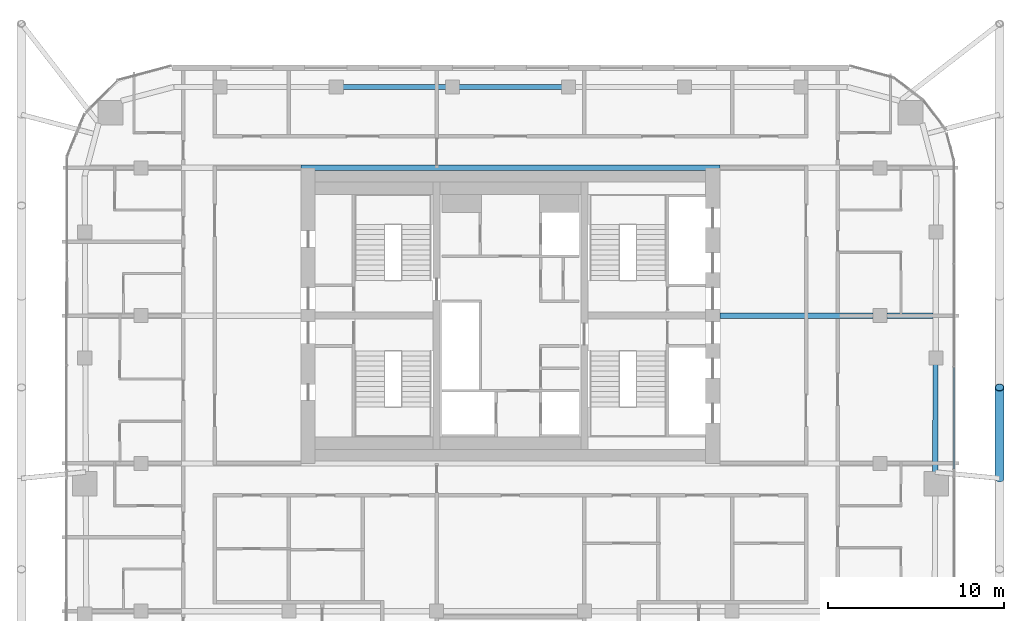
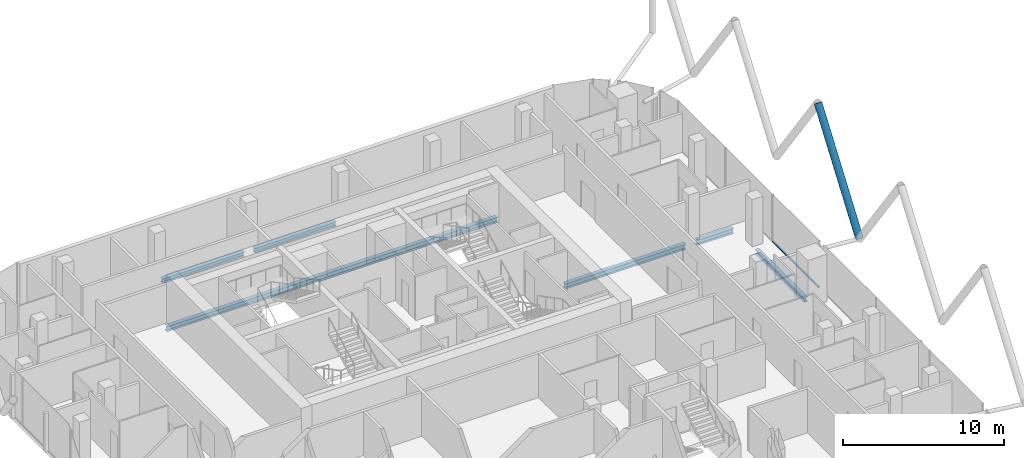
# One storey, part 9 of 31: 6 beams, 2 members, 1 element without a shape of its own.
"""IFC4 building model written with IfcOpenShell, lengths in metres."""

from ifc_helpers import new_model, si_unit, direction, frame, origin, origin_2d, place, context, subcontext, project, spatial, rectangle, hollow_circle, i_section, extrude, material, layer, layer_set, material_profile, profile_set, type_object, element, aggregate, save


model = new_model("IFC4")

# Units and contexts
model_context = context("Model", 3, precision=1e-05, world=origin(), true_north=direction((0.0, 1.0)))
body_context = subcontext(model_context, "Body", "Model", "MODEL_VIEW")
ifc_project = project(units=[si_unit("LENGTHUNIT", "METRE"), si_unit("AREAUNIT", "SQUARE_METRE"), si_unit("VOLUMEUNIT", "CUBIC_METRE"), si_unit("PLANEANGLEUNIT", "RADIAN"), si_unit("MASSUNIT", "GRAM", prefix="KILO")], contexts=[model_context])

# Site, building, storey
site_placement = place(None, origin())
site = spatial("IfcSite", under=ifc_project, at=site_placement, CompositionType="ELEMENT")
building_placement = place(site_placement, origin())
building = spatial("IfcBuilding", under=site, at=building_placement, Name="Marenta Gate Hotel Tower", CompositionType="ELEMENT")
storey_placement = place(building_placement, frame((0.0, 0.0, 220.10009765625)))
storey = spatial("IfcBuildingStorey", under=building, at=storey_placement, Name="L51", CompositionType="ELEMENT", Elevation=220.10009765625)

# Member
ifc_material_1 = material(Name="Steel S355J2W", Category="steel")
ifc_material_profile_1 = material_profile(ifc_material_1, hollow_circle(Radius=0.25390625, WallThickness=0.02490234375, at=origin_2d()), Name="CHS 508x25")
ifc_profile_set_1 = profile_set([ifc_material_profile_1], Name="Steel S355J2W")
member_type_1 = type_object("IfcMemberType", Name="Diagrid diagonal Z3 CHS 508x25", PredefinedType="BRACE", material=ifc_profile_set_1)
member_1_placement = place(storey_placement, frame((27.800048828125, -0.85009765625, 3.139892578125), z_axis=(0.0, 0.583260841117, 0.812284919975), x_axis=(-1.0, 0.0, 0.0)))
element("IfcMember", 1, at=member_1_placement, inside=storey, type_object=member_type_1, Name="L51-DG-5", PredefinedType="BRACE", context=body_context, shape_type="SweptSolid", body=[
    extrude(hollow_circle(Radius=0.25390625, WallThickness=0.02490234375, at=origin_2d()), origin(), (0.0, 0.0, 1.0), 8.86376953125),
])

# Beams
ifc_material_2 = material(Name="Steel S355", Category="steel")
ifc_material_profile_2 = material_profile(ifc_material_2, i_section(OverallWidth=0.300048828125, OverallDepth=0.340087890625, WebThickness=0.011962890625, FlangeThickness=0.021484375, FilletRadius=0.027099609375, at=origin_2d()), Name="HEB 340")
ifc_profile_set_2 = profile_set([ifc_material_profile_2], Name="Steel S355")
beam_type_1 = type_object("IfcBeamType", Name="Edge beam HEB 340", PredefinedType="SPANDREL", material=ifc_profile_set_2)
for number, where, z_axis, x_axis, name in (
    (2, (-9.544189453125, 21.39990234375, -0.43017578125), (1.0, 0.0, 0.0), (0.0, 1.0, 0.0), "L51-EB-15"),
    (3, (-2.94140625, 21.39990234375, -0.43017578125), (1.0, 0.0, 0.0), (0.0, 1.0, 0.0), "L51-EB-16"),
):
    element("IfcBeam", number, at=place(storey_placement, frame(where, z_axis=z_axis, x_axis=x_axis)), inside=storey, type_object=beam_type_1, Name=name, PredefinedType="SPANDREL", context=body_context, shape_type="SweptSolid", body=[
        extrude(i_section(OverallWidth=0.300048828125, OverallDepth=0.340087890625, WebThickness=0.011962890625, FlangeThickness=0.021484375, FilletRadius=0.027099609375, at=origin_2d()), origin(), (0.0, 0.0, 1.0), 5.8828125),
    ])
beam_1_placement = place(storey_placement, frame((24.164306640625, 5.643310546875, -0.43017578125), z_axis=(-0.003303859048, -0.999994542243, 0.0), x_axis=(0.999994542243, -0.003303859048, 0.0)))
element("IfcBeam", 4, at=beam_1_placement, inside=storey, type_object=beam_type_1, Name="L51-EB-24", PredefinedType="SPANDREL", context=body_context, shape_type="SweptSolid", body=[
    extrude(i_section(OverallWidth=0.300048828125, OverallDepth=0.340087890625, WebThickness=0.011962890625, FlangeThickness=0.021484375, FilletRadius=0.027099609375, at=origin_2d()), origin(), (0.0, 0.0, 1.0), 6.13330078125),
])
ifc_material_3 = material(Name="Steel S355", Category="steel")
ifc_material_profile_3 = material_profile(ifc_material_3, i_section(OverallWidth=0.300048828125, OverallDepth=0.39990234375, WebThickness=0.013427734375, FlangeThickness=0.02392578125, FilletRadius=0.027099609375, at=origin_2d()), Name="HEB 400")
ifc_profile_set_3 = profile_set([ifc_material_profile_3], Name="Steel S355")
beam_type_2 = type_object("IfcBeamType", Name="Girder HEB 400", PredefinedType="BEAM", material=ifc_profile_set_3)
beam_2_placement = place(storey_placement, frame((11.89990234375, 8.39990234375, -0.460205078125), z_axis=(1.0, 0.0, 0.0), x_axis=(0.0, 1.0, 0.0)))
element("IfcBeam", 5, at=beam_2_placement, inside=storey, type_object=beam_type_2, Name="L51-GD-27", PredefinedType="BEAM", context=body_context, shape_type="SweptSolid", body=[
    extrude(i_section(OverallWidth=0.300048828125, OverallDepth=0.39990234375, WebThickness=0.013427734375, FlangeThickness=0.02392578125, FilletRadius=0.027099609375, at=origin_2d()), origin(), (0.0, 0.0, 1.0), 8.7001953125),
])
beam_3_placement = place(storey_placement, frame((21.39990234375, 8.39990234375, -0.460205078125), z_axis=(1.0, 0.0, 0.0), x_axis=(0.0, 1.0, 0.0)))
element("IfcBeam", 6, at=beam_3_placement, inside=storey, type_object=beam_type_2, Name="L51-GD-28", PredefinedType="BEAM", context=body_context, shape_type="SweptSolid", body=[
    extrude(i_section(OverallWidth=0.300048828125, OverallDepth=0.39990234375, WebThickness=0.013427734375, FlangeThickness=0.02392578125, FilletRadius=0.027099609375, at=origin_2d()), origin(), (0.0, 0.0, 1.0), 2.623779296875),
])
beam_4_placement = place(storey_placement, frame((-11.89990234375, 16.800048828125, -0.460205078125), z_axis=(1.0, 0.0, 0.0), x_axis=(0.0, 1.0, 0.0)))
element("IfcBeam", 7, at=beam_4_placement, inside=storey, type_object=beam_type_2, Name="L51-GD-31", PredefinedType="BEAM", context=body_context, shape_type="SweptSolid", body=[
    extrude(i_section(OverallWidth=0.300048828125, OverallDepth=0.39990234375, WebThickness=0.013427734375, FlangeThickness=0.02392578125, FilletRadius=0.027099609375, at=origin_2d()), origin(), (0.0, 0.0, 1.0), 23.7998046875),
])

# Curtain wall, member
ifc_material_4 = material(Name="Tinted insulated glass in bronze anodised frame", Category="glass")
ifc_layer = layer(ifc_material_4, 0.1201171875)
ifc_layer_set = layer_set([ifc_layer], Name="Tinted insulated glass in bronze anodised frame")
curtain_wall_type = type_object("IfcCurtainWallType", Name="Tower unitised curtain wall CW1", PredefinedType="NOTDEFINED", material=ifc_layer_set)
curtain_wall_placement = place(storey_placement, origin())
curtain_wall = element("IfcCurtainWall", 8, at=curtain_wall_placement, inside=storey, type_object=curtain_wall_type, Name="CW1 run G34", PredefinedType="NOTDEFINED")
ifc_material_5 = material(Name="Bronze anodised aluminium", Category="aluminium")
ifc_material_profile_4 = material_profile(ifc_material_5, rectangle(XDim=0.1201171875, YDim=0.06005859375, at=origin_2d()), Name="Transom CW1 60x120 bronze anodised aluminium")
ifc_profile_set_4 = profile_set([ifc_material_profile_4], Name="Bronze anodised aluminium")
member_type_2 = type_object("IfcMemberType", Name="Transom CW1 60x120 bronze anodised aluminium", PredefinedType="USERDEFINED", material=ifc_profile_set_4)
member_2_placement = place(storey_placement, frame((25.214111328125, -0.307861328125, 0.02978515625), z_axis=(0.0, 1.0, 0.0), x_axis=(-1.0, 0.0, 0.0)))
member_2 = element("IfcMember", 9, at=member_2_placement, type_object=member_type_2, Name="CW1 transom 1.1", ObjectType="TRANSOM", PredefinedType="USERDEFINED", context=body_context, shape_type="SweptSolid", body=[
    extrude(rectangle(XDim=0.1201171875, YDim=0.06005859375, at=origin_2d()), origin(), (0.0, 0.0, 1.0), 5.76318359375),
])
aggregate(curtain_wall, [member_2])

save(model, "model.ifc")
